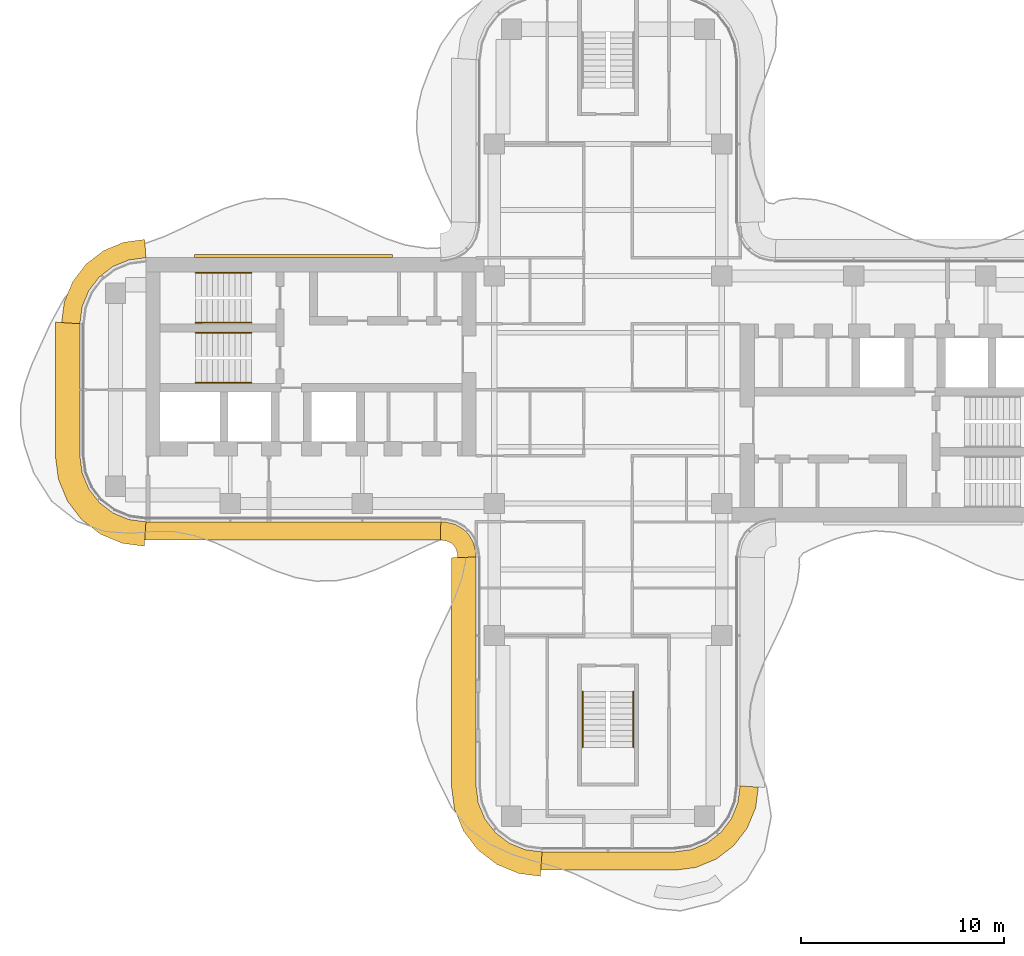
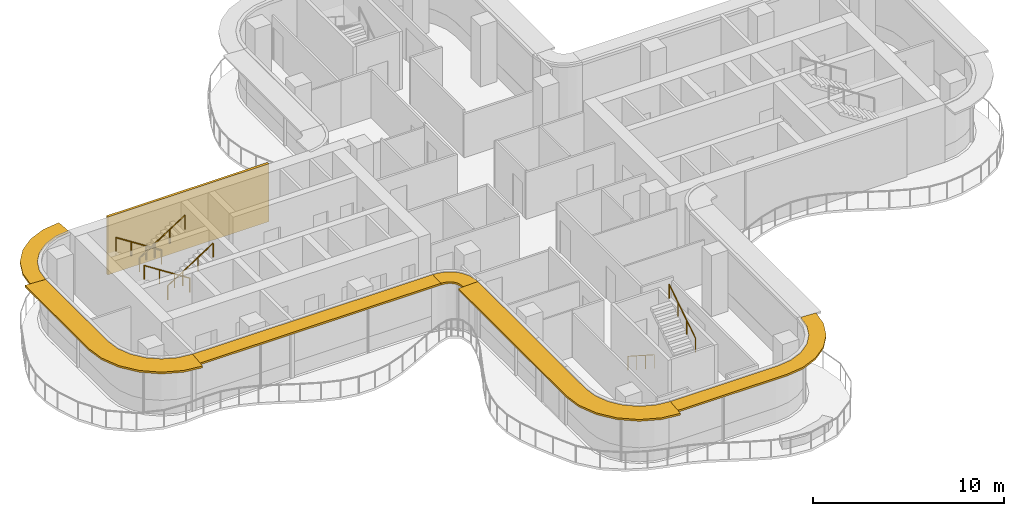
# One storey, part 15 of 16: 6 railings, 6 shading devices, 1 covering.
"""IFC4 building model written with IfcOpenShell, lengths in metres."""

from ifc_helpers import new_model, si_unit, direction, frame, origin, origin_2d, place, context, subcontext, project, spatial, polyline, circle, outline, extrude, source, transform, mapped, material, layer, layer_set, type_object, element, save


model = new_model("IFC4")

# Units and contexts
model_context = context("Model", 3, precision=1e-05, world=origin(), true_north=direction((0.0, 1.0)))
body_context = subcontext(model_context, "Body", "Model", "MODEL_VIEW")
ifc_project = project(units=[si_unit("LENGTHUNIT", "METRE"), si_unit("AREAUNIT", "SQUARE_METRE"), si_unit("VOLUMEUNIT", "CUBIC_METRE"), si_unit("PLANEANGLEUNIT", "RADIAN"), si_unit("MASSUNIT", "GRAM", prefix="KILO")], contexts=[model_context])

# Site, building, storey
site_placement = place(None, origin())
site = spatial("IfcSite", under=ifc_project, at=site_placement, CompositionType="ELEMENT")
building_placement = place(site_placement, origin())
building = spatial("IfcBuilding", under=site, at=building_placement, Name="Trellis Farm Tower", CompositionType="ELEMENT")
storey_placement = place(building_placement, frame((0.0, 0.0, 306.699951171875)))
storey = spatial("IfcBuildingStorey", under=building, at=storey_placement, Name="L69", CompositionType="ELEMENT", Elevation=306.699951171875)

# Railings
ifc_material_1 = material(Name="Stainless steel", Category="steel")
railing_type = type_object("IfcRailingType", Name="STAIR HANDRAIL 900", PredefinedType="HANDRAIL", material=ifc_material_1)
shared_shape_1 = source(origin(), body_context, "Body", "SweptSolid", [
    extrude(circle(Radius=0.02392578125, at=origin_2d()), frame((0.0, 0.0, 0.8759765625), z_axis=(0.0, 0.840503830235, 0.541805602924), x_axis=(-1.0, 0.0, 0.0)), (0.0, 0.0, 1.0), 3.271728515625),
    extrude(circle(Radius=0.02099609375, at=origin_2d()), origin(), (0.0, 0.0, 1.0), 0.851806640625),
    extrude(circle(Radius=0.02099609375, at=origin_2d()), frame((0.0, 0.916748046875, 0.5908203125)), (0.0, 0.0, 1.0), 0.851806640625),
    extrude(circle(Radius=0.02099609375, at=origin_2d()), frame((0.0, 1.833251953125, 1.181884765625)), (0.0, 0.0, 1.0), 0.851806640625),
    extrude(circle(Radius=0.02099609375, at=origin_2d()), frame((0.0, 2.75, 1.772705078125)), (0.0, 0.0, 1.0), 0.851806640625),
])
railing_1_placement = place(storey_placement, frame((1.25, -17.60009765625, 2.12744140625)))
element("IfcRailing", 1, at=railing_1_placement, inside=storey, type_object=railing_type, Name="Stair handrail", PredefinedType="HANDRAIL", context=body_context, shape_type="MappedRepresentation", body=[
    mapped(shared_shape_1, transform((0.0, 0.0, 0.0))),
])
shared_shape_2 = source(origin(), body_context, "Body", "SweptSolid", [
    extrude(circle(Radius=0.02392578125, at=origin_2d()), frame((0.0, 0.0, 0.8759765625), z_axis=(0.0, -0.840503830235, 0.541805602924), x_axis=(1.0, 0.0, 0.0)), (0.0, 0.0, 1.0), 3.271728515625),
    extrude(circle(Radius=0.02099609375, at=origin_2d()), origin(), (0.0, 0.0, 1.0), 0.851806640625),
    extrude(circle(Radius=0.02099609375, at=origin_2d()), frame((0.0, -0.916748046875, 0.5908203125)), (0.0, 0.0, 1.0), 0.851806640625),
    extrude(circle(Radius=0.02099609375, at=origin_2d()), frame((0.0, -1.833251953125, 1.181884765625)), (0.0, 0.0, 1.0), 0.851806640625),
    extrude(circle(Radius=0.02099609375, at=origin_2d()), frame((0.0, -2.75, 1.772705078125)), (0.0, 0.0, 1.0), 0.851806640625),
])
railing_2_placement = place(storey_placement, frame((-1.25, -14.85009765625, 0.17724609375)))
element("IfcRailing", 2, at=railing_2_placement, inside=storey, type_object=railing_type, Name="Stair handrail", PredefinedType="HANDRAIL", context=body_context, shape_type="MappedRepresentation", body=[
    mapped(shared_shape_2, transform((0.0, 0.0, 0.0))),
])
shared_shape_3 = source(origin(), body_context, "Body", "SweptSolid", [
    extrude(circle(Radius=0.02392578125, at=origin_2d()), frame((0.0, 0.0, 0.8759765625), z_axis=(0.840503830235, 0.0, 0.541805602924), x_axis=(0.0, 1.0, 0.0)), (0.0, 0.0, 1.0), 3.271728515625),
    extrude(circle(Radius=0.02099609375, at=origin_2d()), origin(), (0.0, 0.0, 1.0), 0.851806640625),
    extrude(circle(Radius=0.02099609375, at=origin_2d()), frame((0.916748046875, 0.0, 0.5908203125)), (0.0, 0.0, 1.0), 0.851806640625),
    extrude(circle(Radius=0.02099609375, at=origin_2d()), frame((1.833251953125, 0.0, 1.181884765625)), (0.0, 0.0, 1.0), 0.851806640625),
    extrude(circle(Radius=0.02099609375, at=origin_2d()), frame((2.75, 0.0, 1.772705078125)), (0.0, 0.0, 1.0), 0.851806640625),
])
for number, where, name in (
    (3, (-20.300048828125, 3.300048828125, 2.12744140625), "Stair handrail"),
    (4, (-20.300048828125, 0.35009765625, 2.12744140625), "Stair handrail"),
):
    element("IfcRailing", number, at=place(storey_placement, frame(where)), inside=storey, type_object=railing_type, Name=name, PredefinedType="HANDRAIL", context=body_context, shape_type="MappedRepresentation", body=[
        mapped(shared_shape_3, transform((0.0, 0.0, 0.0))),
    ])
shared_shape_4 = source(origin(), body_context, "Body", "SweptSolid", [
    extrude(circle(Radius=0.02392578125, at=origin_2d()), frame((0.0, 0.0, 0.8759765625), z_axis=(-0.840503830235, 0.0, 0.541805602924), x_axis=(0.0, -1.0, 0.0)), (0.0, 0.0, 1.0), 3.271728515625),
    extrude(circle(Radius=0.02099609375, at=origin_2d()), origin(), (0.0, 0.0, 1.0), 0.851806640625),
    extrude(circle(Radius=0.02099609375, at=origin_2d()), frame((-0.916748046875, 0.0, 0.5908203125)), (0.0, 0.0, 1.0), 0.851806640625),
    extrude(circle(Radius=0.02099609375, at=origin_2d()), frame((-1.833251953125, 0.0, 1.181884765625)), (0.0, 0.0, 1.0), 0.851806640625),
    extrude(circle(Radius=0.02099609375, at=origin_2d()), frame((-2.75, 0.0, 1.772705078125)), (0.0, 0.0, 1.0), 0.851806640625),
])
for number, where, name in (
    (5, (-17.550048828125, 5.75, 0.17724609375), "Stair handrail"),
    (6, (-17.550048828125, 2.800048828125, 0.17724609375), "Stair handrail"),
):
    element("IfcRailing", number, at=place(storey_placement, frame(where)), inside=storey, type_object=railing_type, Name=name, PredefinedType="HANDRAIL", context=body_context, shape_type="MappedRepresentation", body=[
        mapped(shared_shape_4, transform((0.0, 0.0, 0.0))),
    ])

# Shading devices
ifc_material_2 = material(Name="Aluminium extrusion 6063-T6", Category="aluminium")
ifc_layer_1 = layer(ifc_material_2, 0.1201171875)
ifc_layer_set_1 = layer_set([ifc_layer_1], Name="SUNSHADE BLADE 900")
shading_device_type_1 = type_object("IfcShadingDeviceType", Name="SUNSHADE BLADE 900", PredefinedType="USERDEFINED", material=ifc_layer_set_1)
shared_shape_5 = source(origin(), body_context, "Body", "SweptSolid", [
    extrude(outline(polyline([(-8.2607421875, -7.39990234375), (-8.107666015625, -7.409912109375), (-8.091552734375, -7.412109375), (-7.85595703125, -7.475341796875), (-7.697021484375, -7.567138671875), (-7.567138671875, -7.697021484375), (-7.475341796875, -7.85595703125), (-7.412109375, -8.091552734375), (-7.409912109375, -8.107666015625), (-7.39990234375, -8.2607421875), (-6.5, -8.2314453125), (-6.513916015625, -8.01953125), (-6.527587890625, -7.91552734375), (-6.63671875, -7.508544921875), (-6.846923828125, -7.144287109375), (-7.144287109375, -6.846923828125), (-7.508544921875, -6.63671875), (-7.91552734375, -6.527587890625), (-8.01953125, -6.513916015625), (-8.2314453125, -6.5), (-8.2607421875, -7.39990234375)])), origin(), (0.0, 0.0, 1.0), 0.1201171875),
])
placement = place(storey_placement, frame((0.0, 0.0, 3.5400390625)))
element("IfcShadingDevice", 7, at=placement, inside=storey, type_object=shading_device_type_1, Name="SD1 002", ObjectType="SUNSHADE", PredefinedType="USERDEFINED", context=body_context, shape_type="MappedRepresentation", body=[
    mapped(shared_shape_5, transform((0.0, 0.0, 0.0))),
])
ifc_layer_2 = layer(ifc_material_2, 0.1201171875)
ifc_layer_set_2 = layer_set([ifc_layer_2], Name="SUNSHADE BLADE 1200")
shading_device_type_2 = type_object("IfcShadingDeviceType", Name="SUNSHADE BLADE 1200", PredefinedType="USERDEFINED", material=ifc_layer_set_2)
shared_shape_6 = source(origin(), body_context, "Body", "SweptSolid", [
    extrude(outline(polyline([(-7.699951171875, -8.270751953125), (-7.699951171875, -19.57861328125), (-7.558349609375, -20.654541015625), (-7.11279296875, -21.730224609375), (-6.404052734375, -22.654052734375), (-5.480224609375, -23.36279296875), (-4.404541015625, -23.808349609375), (-3.32861328125, -23.949951171875), (-3.25, -22.75), (-4.091064453125, -22.63916015625), (-4.875, -22.314697265625), (-5.548095703125, -21.798095703125), (-6.064697265625, -21.125), (-6.38916015625, -20.341064453125), (-6.5, -19.5), (-6.5, -8.2314453125), (-7.699951171875, -8.270751953125)])), origin(), (0.0, 0.0, 1.0), 0.1201171875),
])
element("IfcShadingDevice", 8, at=placement, inside=storey, type_object=shading_device_type_2, Name="SD2 003", ObjectType="SUNSHADE", PredefinedType="USERDEFINED", context=body_context, shape_type="MappedRepresentation", body=[
    mapped(shared_shape_6, transform((0.0, 0.0, 0.0))),
])
shared_shape_7 = source(origin(), body_context, "Body", "SweptSolid", [
    extrude(outline(polyline([(-3.30908203125, -23.64990234375), (3.30908203125, -23.64990234375), (4.326171875, -23.51611328125), (5.328857421875, -23.100830078125), (6.18994140625, -22.43994140625), (6.850830078125, -21.578857421875), (7.26611328125, -20.576171875), (7.39990234375, -19.55908203125), (6.5, -19.5), (6.38916015625, -20.341064453125), (6.064697265625, -21.125), (5.548095703125, -21.798095703125), (4.875, -22.314697265625), (4.091064453125, -22.63916015625), (3.25, -22.75), (-3.25, -22.75), (-3.30908203125, -23.64990234375)])), origin(), (0.0, 0.0, 1.0), 0.1201171875),
])
element("IfcShadingDevice", 9, at=placement, inside=storey, type_object=shading_device_type_1, Name="SD1 004", ObjectType="SUNSHADE", PredefinedType="USERDEFINED", context=body_context, shape_type="MappedRepresentation", body=[
    mapped(shared_shape_7, transform((0.0, 0.0, 0.0))),
])
shared_shape_8 = source(origin(), body_context, "Body", "SweptSolid", [
    extrude(outline(polyline([(-22.80908203125, -7.39990234375), (-8.2607421875, -7.39990234375), (-8.2314453125, -6.5), (-22.75, -6.5), (-22.80908203125, -7.39990234375)])), origin(), (0.0, 0.0, 1.0), 0.1201171875),
])
element("IfcShadingDevice", 10, at=placement, inside=storey, type_object=shading_device_type_1, Name="SD1 001", ObjectType="SUNSHADE", PredefinedType="USERDEFINED", context=body_context, shape_type="MappedRepresentation", body=[
    mapped(shared_shape_8, transform((0.0, 0.0, 0.0))),
])
shared_shape_9 = source(origin(), body_context, "Body", "SweptSolid", [
    extrude(outline(polyline([(-22.80908203125, 7.39990234375), (-23.826171875, 7.26611328125), (-24.828857421875, 6.850830078125), (-25.68994140625, 6.18994140625), (-26.350830078125, 5.328857421875), (-26.76611328125, 4.326171875), (-26.89990234375, 3.30908203125), (-26.0, 3.25), (-25.88916015625, 4.091064453125), (-25.564697265625, 4.875), (-25.048095703125, 5.548095703125), (-24.375, 6.064697265625), (-23.591064453125, 6.38916015625), (-22.75, 6.5), (-22.80908203125, 7.39990234375)])), origin(), (0.0, 0.0, 1.0), 0.1201171875),
])
element("IfcShadingDevice", 11, at=placement, inside=storey, type_object=shading_device_type_1, Name="SD1 016", ObjectType="SUNSHADE", PredefinedType="USERDEFINED", context=body_context, shape_type="MappedRepresentation", body=[
    mapped(shared_shape_9, transform((0.0, 0.0, 0.0))),
])
shared_shape_10 = source(origin(), body_context, "Body", "SweptSolid", [
    extrude(outline(polyline([(-27.199951171875, 3.32861328125), (-27.199951171875, -3.32861328125), (-27.058349609375, -4.404541015625), (-26.61279296875, -5.480224609375), (-25.904052734375, -6.404052734375), (-24.980224609375, -7.11279296875), (-23.904541015625, -7.558349609375), (-22.82861328125, -7.699951171875), (-22.75, -6.5), (-23.591064453125, -6.38916015625), (-24.375, -6.064697265625), (-25.048095703125, -5.548095703125), (-25.564697265625, -4.875), (-25.88916015625, -4.091064453125), (-26.0, -3.25), (-26.0, 3.25), (-27.199951171875, 3.32861328125)])), origin(), (0.0, 0.0, 1.0), 0.1201171875),
])
element("IfcShadingDevice", 12, at=placement, inside=storey, type_object=shading_device_type_2, Name="SD2 017", ObjectType="SUNSHADE", PredefinedType="USERDEFINED", context=body_context, shape_type="MappedRepresentation", body=[
    mapped(shared_shape_10, transform((0.0, 0.0, 0.0))),
])

# Covering
ifc_material_3 = material(Name="Perforated precast screen (cobogo)", Category="concrete")
ifc_layer_3 = layer(ifc_material_3, 0.14990234375)
ifc_layer_set_3 = layer_set([ifc_layer_3], Name="COBOGO SCREEN PANEL")
covering_type = type_object("IfcCoveringType", Name="COBOGO SCREEN PANEL", PredefinedType="USERDEFINED", material=ifc_layer_set_3)
shared_shape_11 = source(origin(), body_context, "Body", "SweptSolid", [
    extrude(outline(polyline([(-10.61572265625, 6.64990234375), (-20.36572265625, 6.64990234375), (-20.36572265625, 6.5), (-10.61572265625, 6.5), (-10.61572265625, 6.64990234375)])), origin(), (0.0, 0.0, 1.0), 3.699951171875),
])
covering_placement = place(storey_placement, origin())
element("IfcCovering", 13, at=covering_placement, inside=storey, type_object=covering_type, Name="SC1 03", ObjectType="SCREEN", PredefinedType="USERDEFINED", context=body_context, shape_type="MappedRepresentation", body=[
    mapped(shared_shape_11, transform((0.0, 0.0, 0.0))),
])

save(model, "model.ifc")
